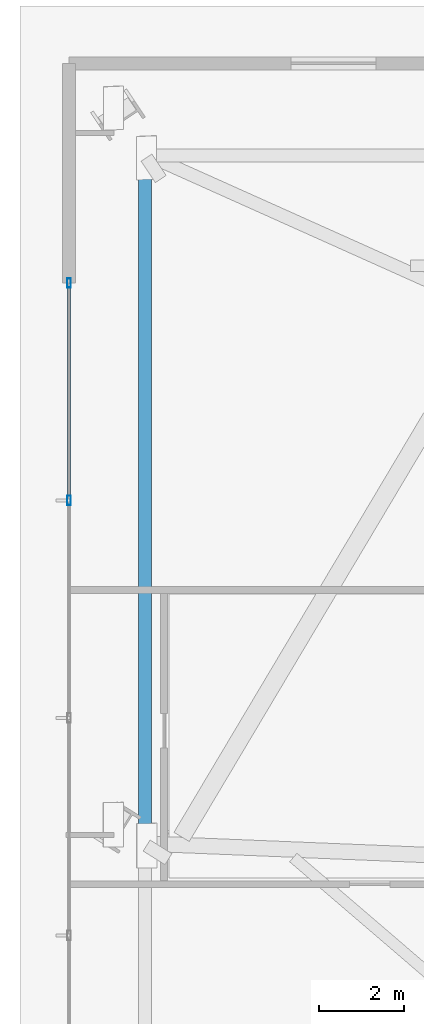
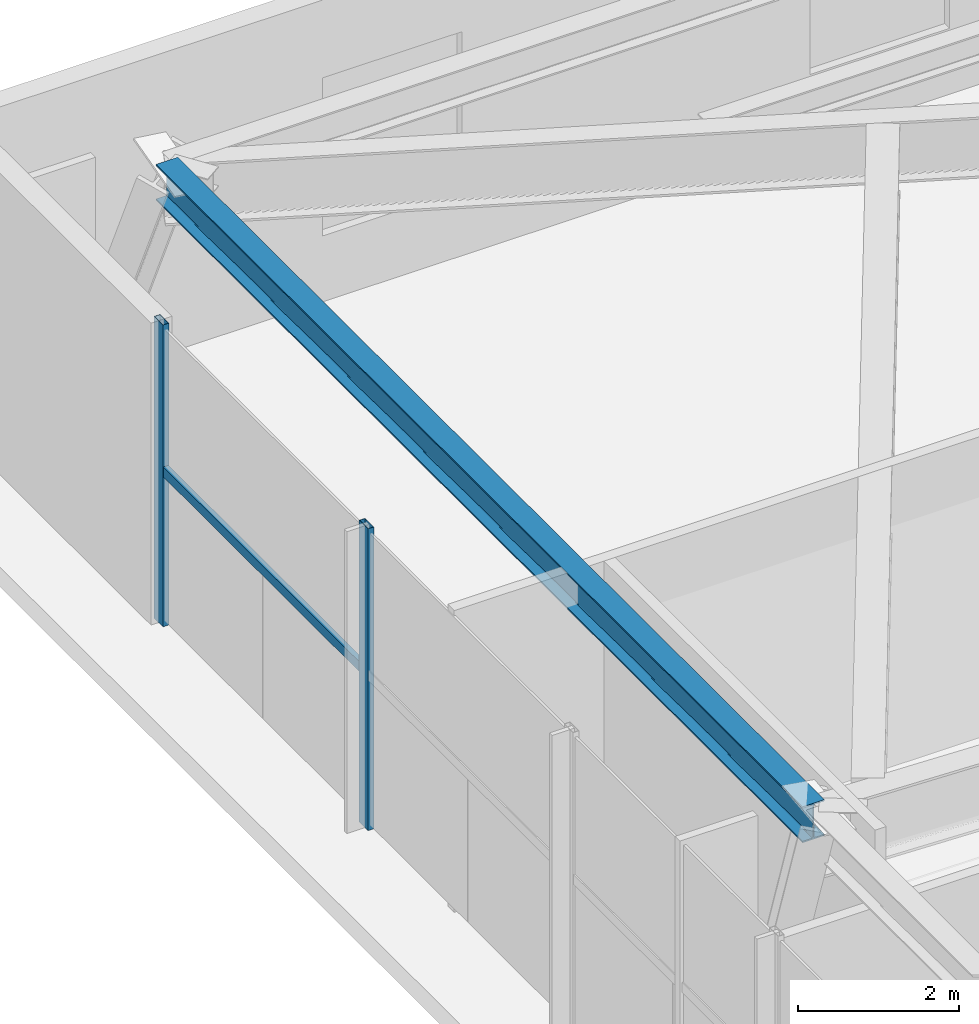
# One storey, part 10 of 31: 3 members, 1 beam, 1 element without a shape of its own.
"""IFC4 building model written with IfcOpenShell, lengths in metres."""

from ifc_helpers import new_model, si_unit, direction, frame, origin, origin_2d, place, context, subcontext, project, spatial, hollow_rectangle, i_section, extrude, source, transform, mapped, material, material_profile, profile_set, type_object, type_shapes, element, aggregate, save


model = new_model("IFC4")

# Units and contexts
model_context = context("Model", 3, precision=1e-05, world=origin(), true_north=direction((0.0, 1.0)))
body_context = subcontext(model_context, "Body", "Model", "MODEL_VIEW")
ifc_project = project(units=[si_unit("LENGTHUNIT", "METRE"), si_unit("AREAUNIT", "SQUARE_METRE"), si_unit("VOLUMEUNIT", "CUBIC_METRE"), si_unit("PLANEANGLEUNIT", "RADIAN"), si_unit("MASSUNIT", "GRAM", prefix="KILO")], contexts=[model_context])

# Site, building, storey
site_placement = place(None, origin())
site = spatial("IfcSite", under=ifc_project, at=site_placement, CompositionType="ELEMENT")
building_placement = place(site_placement, origin())
building = spatial("IfcBuilding", under=site, at=building_placement, Name="Astriad Promenade Condominiums", CompositionType="ELEMENT")
storey_placement = place(building_placement, origin())
storey = spatial("IfcBuildingStorey", under=building, at=storey_placement, Name="L00", CompositionType="ELEMENT", Elevation=0.0)

# Beam
ifc_material_1 = material(Name="Steel ASTM A992 Grade 50", Category="steel")
ifc_material_profile_1 = material_profile(ifc_material_1, i_section(OverallWidth=0.3134765625, OverallDepth=0.54638671875, WebThickness=0.013916015625, FlangeThickness=0.022216796875, FilletRadius=0.0166015625, at=origin_2d()), Name="W21X111")
ifc_profile_set_1 = profile_set([ifc_material_profile_1], Name="Steel ASTM A992 Grade 50")
beam_type = type_object("IfcBeamType", Name="STEEL SPANDREL BEAM W21X111", PredefinedType="SPANDREL", material=ifc_profile_set_1)
shared_shape_1 = source(origin(), body_context, "Body", "SweptSolid", [
    extrude(i_section(OverallWidth=0.3134765625, OverallDepth=0.54638671875, WebThickness=0.013916015625, FlangeThickness=0.022216796875, FilletRadius=0.0166015625, at=origin_2d()), origin(), (0.0, 0.0, 1.0), 16.081787109375),
])
type_shapes(beam_type, [shared_shape_1])
beam_placement = place(storey_placement, frame((2.93212890625, 34.45166015625, 4.306884765625), z_axis=(1.5181187e-05, -0.999999999885, 0.0), x_axis=(0.999999999885, 1.5181187e-05, 0.0)))
element("IfcBeam", 1, at=beam_placement, inside=storey, type_object=beam_type, Name="Perimeter Spandrel Beam SP-W2-L00", PredefinedType="SPANDREL", context=body_context, shape_type="MappedRepresentation", body=[
    mapped(shared_shape_1, transform((0.0, 0.0, 0.0), scale=1.0)),
])

# Curtain wall, members
ifc_material_2 = material(Name="Anodised aluminium Black Dark Glass Unitised", Category="aluminium")
curtain_wall_type = type_object("IfcCurtainWallType", Name="CW-POD-DARK", PredefinedType="USERDEFINED", material=ifc_material_2)
curtain_wall_placement = place(storey_placement, origin())
curtain_wall = element("IfcCurtainWall", 2, at=curtain_wall_placement, inside=storey, type_object=curtain_wall_type, Name="CW-L00-W", ObjectType="UNITISED_CURTAIN_WALL", PredefinedType="USERDEFINED")
ifc_material_3 = material(Name="Anodised aluminium 6063-T6 Black", Category="aluminium")
ifc_material_profile_2 = material_profile(ifc_material_3, hollow_rectangle(XDim=0.0849609375, YDim=0.219970703125, WallThickness=0.0048828125, at=origin_2d()), Name="ALU-MUL-85X220")
ifc_profile_set_2 = profile_set([ifc_material_profile_2], Name="Anodised aluminium 6063-T6 Black")
member_type_1 = type_object("IfcMemberType", Name="MUL-ALU-MUL-85X220", PredefinedType="MULLION", material=ifc_profile_set_2)
shared_shape_2 = source(origin(), body_context, "Body", "SweptSolid", [
    extrude(hollow_rectangle(XDim=0.0849609375, YDim=0.219970703125, WallThickness=0.0048828125, at=origin_2d()), origin(), (0.0, 0.0, 1.0), 4.580078125),
])
type_shapes(member_type_1, [shared_shape_2])
member_1_placement = place(storey_placement, frame((1.14990234375, 26.39990234375, 0.0), z_axis=(0.0, 0.0, 1.0), x_axis=(1.0, 0.0, 0.0)))
member_1 = element("IfcMember", 3, at=member_1_placement, type_object=member_type_1, Name="CW-L00-W-MUL-04", PredefinedType="MULLION", context=body_context, shape_type="MappedRepresentation", body=[
    mapped(shared_shape_2, transform((0.0, 0.0, 0.0), scale=1.0)),
])
member_2_placement = place(storey_placement, frame((1.14990234375, 31.5, 0.0), z_axis=(0.0, 0.0, 1.0), x_axis=(1.0, 0.0, 0.0)))
member_2 = element("IfcMember", 4, at=member_2_placement, type_object=member_type_1, Name="CW-L00-W-MUL-05", PredefinedType="MULLION", context=body_context, shape_type="MappedRepresentation", body=[
    mapped(shared_shape_2, transform((0.0, 0.0, 0.0), scale=1.0)),
])
ifc_material_profile_3 = material_profile(ifc_material_3, hollow_rectangle(XDim=0.074951171875, YDim=0.14990234375, WallThickness=0.004150390625, at=origin_2d()), Name="ALU-TRN-75X150")
ifc_profile_set_3 = profile_set([ifc_material_profile_3], Name="Anodised aluminium 6063-T6 Black")
member_type_2 = type_object("IfcMemberType", Name="TRN-ALU-TRN-75X150", PredefinedType="USERDEFINED", material=ifc_profile_set_3)
shared_shape_3 = source(origin(), body_context, "Body", "SweptSolid", [
    extrude(hollow_rectangle(XDim=0.074951171875, YDim=0.14990234375, WallThickness=0.004150390625, at=origin_2d()), origin(), (0.0, 0.0, 1.0), 5.10009765625),
])
type_shapes(member_type_2, [shared_shape_3])
member_3_placement = place(storey_placement, frame((1.14990234375, 26.39990234375, 2.35009765625), z_axis=(0.0, 1.0, 0.0), x_axis=(-1.0, 0.0, 0.0)))
member_3 = element("IfcMember", 5, at=member_3_placement, type_object=member_type_2, Name="CW-L00-W-TRN-04-0", ObjectType="TRANSOM", PredefinedType="USERDEFINED", context=body_context, shape_type="MappedRepresentation", body=[
    mapped(shared_shape_3, transform((0.0, 0.0, 0.0), scale=1.0)),
])
aggregate(curtain_wall, [member_1, member_2, member_3])

save(model, "model.ifc")
